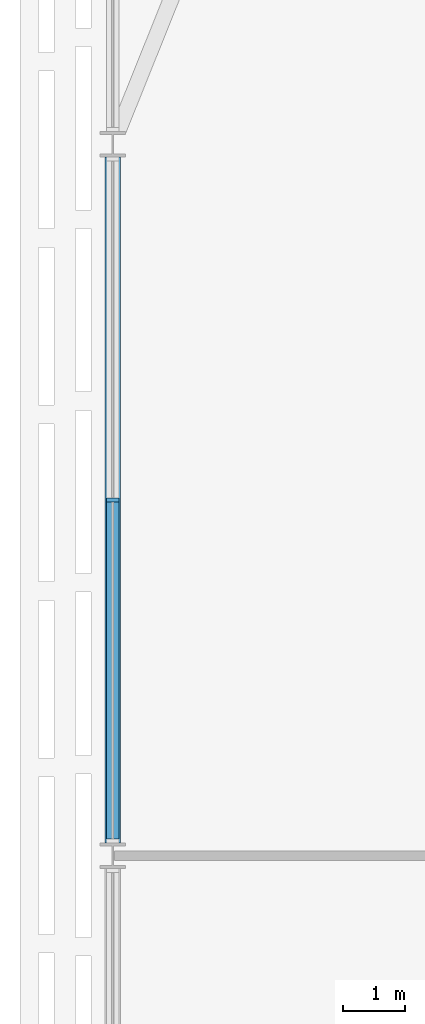
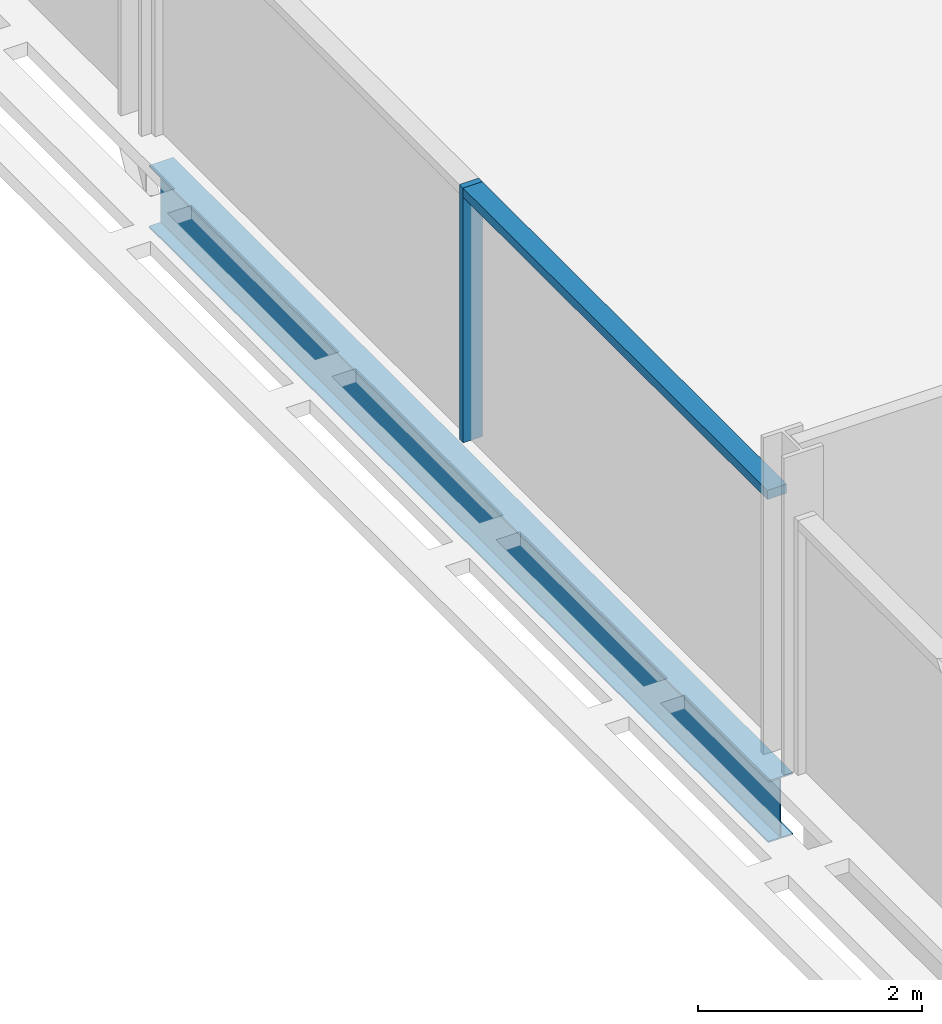
# One storey, part 4 of 27: 2 members, 1 beam, 1 element without a shape of its own.
"""IFC4 building model written with IfcOpenShell, lengths in metres."""

from ifc_helpers import new_model, si_unit, direction, frame, origin, origin_2d, place, context, subcontext, project, spatial, rectangle, i_section, extrude, material, material_profile, profile_set, type_object, element, aggregate, save


model = new_model("IFC4")

# Units and contexts
model_context = context("Model", 3, precision=1e-05, world=origin(), true_north=direction((0.0, 1.0)))
body_context = subcontext(model_context, "Body", "Model", "MODEL_VIEW")
ifc_project = project(units=[si_unit("LENGTHUNIT", "METRE"), si_unit("AREAUNIT", "SQUARE_METRE"), si_unit("VOLUMEUNIT", "CUBIC_METRE"), si_unit("PLANEANGLEUNIT", "RADIAN"), si_unit("MASSUNIT", "GRAM", prefix="KILO")], contexts=[model_context])

# Site, building, storey
site_placement = place(None, origin())
site = spatial("IfcSite", under=ifc_project, at=site_placement, CompositionType="ELEMENT")
building_placement = place(site_placement, origin())
building = spatial("IfcBuilding", under=site, at=building_placement, Name="Mahtab Terrace Research Tower", CompositionType="ELEMENT")
storey_placement = place(building_placement, frame((0.0, 0.0, 178.199951171875)))
storey = spatial("IfcBuildingStorey", under=building, at=storey_placement, Name="L42", CompositionType="ELEMENT", Elevation=178.199951171875)

# Curtain wall, members
ifc_material_1 = material(Name="Laboratory ribbon curtain wall")
curtain_wall_type = type_object("IfcCurtainWallType", Name="Laboratory ribbon curtain wall", PredefinedType="NOTDEFINED", material=ifc_material_1)
curtain_wall_placement = place(storey_placement, origin())
curtain_wall = element("IfcCurtainWall", 1, at=curtain_wall_placement, inside=storey, type_object=curtain_wall_type, Name="EN.L42.8.16", PredefinedType="NOTDEFINED")
ifc_material_2 = material(Name="Natural anodised aluminium", Category="aluminium")
ifc_material_profile_1 = material_profile(ifc_material_2, rectangle(XDim=0.199951171875, YDim=0.06494140625, at=origin_2d()), Name="MULLION 65x200")
ifc_profile_set_1 = profile_set([ifc_material_profile_1], Name="Natural anodised aluminium")
member_type_1 = type_object("IfcMemberType", Name="Laboratory ribbon curtain wall mullion", PredefinedType="MULLION", material=ifc_profile_set_1)
member_1_placement = place(storey_placement, frame((-48.0, 5.75, 0.0), z_axis=(0.0, 0.0, 1.0), x_axis=(1.0, 0.0, 0.0)))
member_1 = element("IfcMember", 2, at=member_1_placement, type_object=member_type_1, Name="CWL-5 mullion 2", PredefinedType="MULLION", context=body_context, shape_type="SweptSolid", body=[
    extrude(rectangle(XDim=0.199951171875, YDim=0.06494140625, at=origin_2d()), origin(), (0.0, 0.0, 1.0), 2.78173828125),
])
ifc_material_profile_2 = material_profile(ifc_material_2, rectangle(XDim=0.199951171875, YDim=0.10009765625, at=origin_2d()), Name="TRANSOM 100x200")
ifc_profile_set_2 = profile_set([ifc_material_profile_2], Name="Natural anodised aluminium")
member_type_2 = type_object("IfcMemberType", Name="Laboratory ribbon curtain wall transom", PredefinedType="USERDEFINED", material=ifc_profile_set_2)
member_2_placement = place(storey_placement, frame((-48.0, 5.717529296875, 2.73193359375), z_axis=(0.0, -1.0, 0.0), x_axis=(1.0, 0.0, 0.0)))
member_2 = element("IfcMember", 3, at=member_2_placement, type_object=member_type_2, Name="CWL-5 transom 2", ObjectType="TRANSOM", PredefinedType="USERDEFINED", context=body_context, shape_type="SweptSolid", body=[
    extrude(rectangle(XDim=0.199951171875, YDim=0.10009765625, at=origin_2d()), origin(), (0.0, 0.0, 1.0), 5.444580078125),
])
aggregate(curtain_wall, [member_1, member_2])

# Beam
ifc_material_3 = material(Name="Steel ASTM A992 Gr 50", Category="steel")
ifc_material_profile_3 = material_profile(ifc_material_3, i_section(OverallWidth=0.25390625, OverallDepth=0.67822265625, WebThickness=0.01171875, FlangeThickness=0.016357421875, at=origin_2d()), Name="W27X84")
ifc_profile_set_3 = profile_set([ifc_material_profile_3], Name="Steel ASTM A992 Gr 50")
beam_type = type_object("IfcBeamType", Name="W27x84 beam BS2784", PredefinedType="BEAM", material=ifc_profile_set_3)
beam_placement = place(storey_placement, frame((-48.0, 11.291748046875, -0.678955078125), z_axis=(0.0, -1.0, 0.0), x_axis=(1.0, 0.0, 0.0)))
element("IfcBeam", 4, at=beam_placement, inside=storey, type_object=beam_type, Name="Spandrel beam L42 09", PredefinedType="BEAM", context=body_context, shape_type="SweptSolid", body=[
    extrude(i_section(OverallWidth=0.25390625, OverallDepth=0.67822265625, WebThickness=0.01171875, FlangeThickness=0.016357421875, at=origin_2d()), origin(), (0.0, 0.0, 1.0), 11.08349609375),
])

save(model, "model.ifc")
